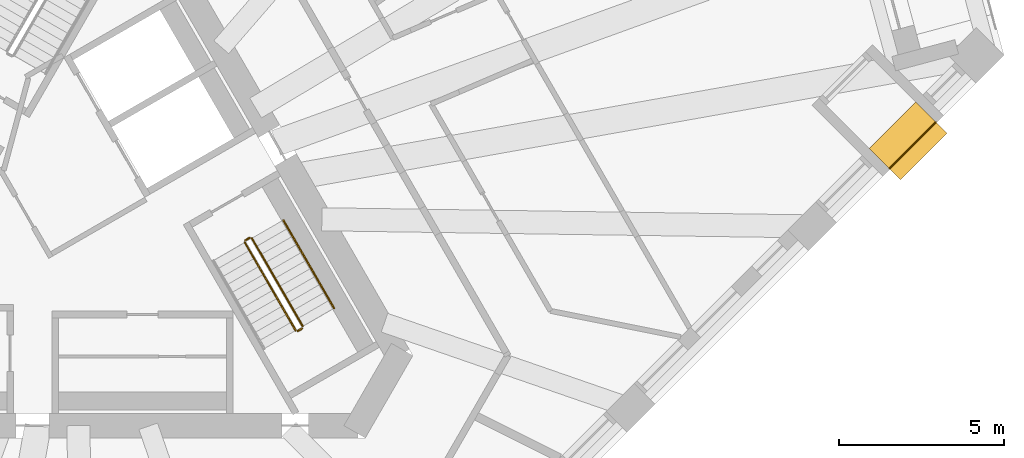
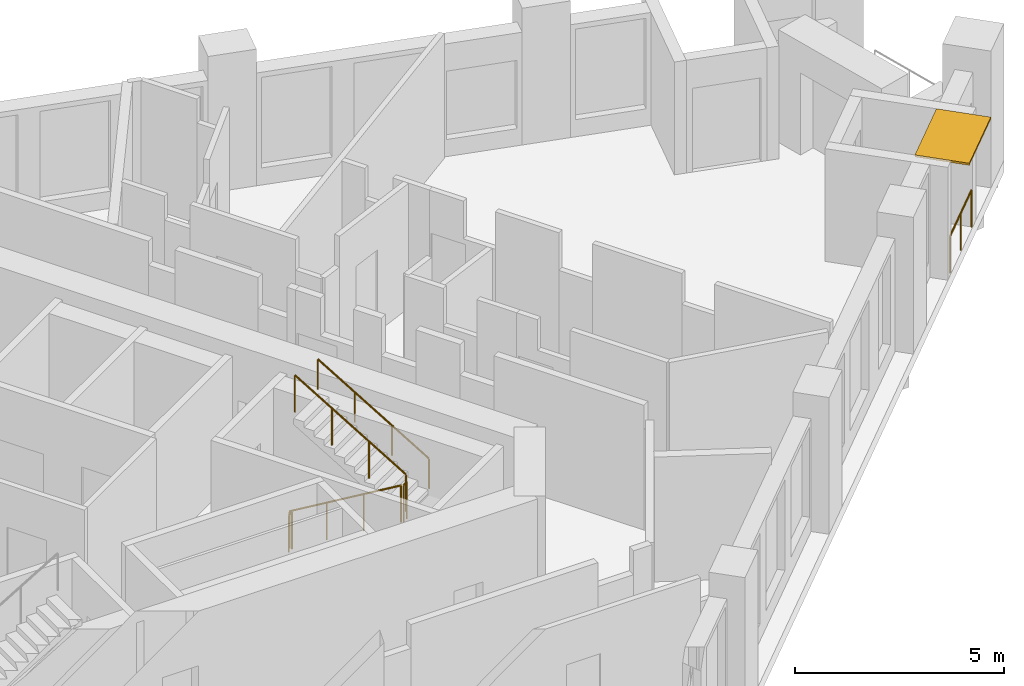
# One storey, part 11 of 13: 6 railings, 1 shading device.
"""IFC4 building model written with IfcOpenShell, lengths in metres."""

from ifc_helpers import new_model, si_unit, direction, frame, origin, origin_2d, place, context, subcontext, project, spatial, rectangle, circle, extrude, material, layer, layer_set, type_object, element, save


model = new_model("IFC4")

# Units and contexts
model_context = context("Model", 3, precision=1e-05, world=origin(), true_north=direction((0.0, 1.0)))
body_context = subcontext(model_context, "Body", "Model", "MODEL_VIEW")
ifc_project = project(units=[si_unit("LENGTHUNIT", "METRE"), si_unit("AREAUNIT", "SQUARE_METRE"), si_unit("VOLUMEUNIT", "CUBIC_METRE"), si_unit("PLANEANGLEUNIT", "RADIAN"), si_unit("MASSUNIT", "GRAM", prefix="KILO")], contexts=[model_context])

# Site, building, storey
site_placement = place(None, origin())
site = spatial("IfcSite", under=ifc_project, at=site_placement, CompositionType="ELEMENT")
building_placement = place(site_placement, origin())
building = spatial("IfcBuilding", under=site, at=building_placement, Name="Tramontana Tower", CompositionType="ELEMENT")
storey_placement = place(building_placement, frame((0.0, 0.0, 228.0)))
storey = spatial("IfcBuildingStorey", under=building, at=storey_placement, Name="L53", CompositionType="ELEMENT", Elevation=228.0)

# Railing
ifc_material_1 = material(Name="Laminated glass balustrade", Category="glass")
railing_type_1 = type_object("IfcRailingType", Name="GD1 Loggia glass balustrade 1100", PredefinedType="BALUSTRADE", material=ifc_material_1)
railing_1_placement = place(storey_placement, frame((24.718017578125, 1.426025390625, 0.0)))
element("IfcRailing", 1, at=railing_1_placement, inside=storey, type_object=railing_type_1, Name="Loggia balustrade L53 G5S1.16", PredefinedType="BALUSTRADE", context=body_context, shape_type="SweptSolid", body=[
    extrude(circle(Radius=0.02392578125, at=origin_2d()), frame((0.0, 0.0, 1.076171875), z_axis=(0.707106781187, 0.707106781187, 0.0), x_axis=(-0.707106781187, 0.707106781187, 0.0)), (0.0, 0.0, 1.0), 1.998046875),
    extrude(circle(Radius=0.02099609375, at=origin_2d()), origin(), (0.0, 0.0, 1.0), 1.052001953125),
    extrude(circle(Radius=0.02099609375, at=origin_2d()), frame((0.70654296875, 0.70654296875, 0.0)), (0.0, 0.0, 1.0), 1.052001953125),
    extrude(circle(Radius=0.02099609375, at=origin_2d()), frame((1.412841796875, 1.412841796875, 0.0)), (0.0, 0.0, 1.0), 1.052001953125),
])

# Shading device
ifc_material_2 = material(Name="Precast concrete 60 MPa", Category="concrete")
ifc_layer = layer(ifc_material_2, 0.06005859375)
ifc_layer_set = layer_set([ifc_layer], Name="SS1 Stone sunshade blade 60")
shading_device_type = type_object("IfcShadingDeviceType", Name="SS1 Stone sunshade blade 60", PredefinedType="USERDEFINED", material=ifc_layer_set)
shading_device_placement = place(storey_placement, frame((25.28662109375, 2.270263671875, 3.239990234375), z_axis=(0.0, 0.0, 1.0), x_axis=(0.707106781187, 0.707106781187, 0.0)))
element("IfcShadingDevice", 2, at=shading_device_placement, inside=storey, type_object=shading_device_type, Name="Sunshade L53 G5S1.16", ObjectType="SUNSHADE", PredefinedType="USERDEFINED", context=body_context, shape_type="SweptSolid", body=[
    extrude(rectangle(XDim=1.998046875, YDim=1.35009765625, at=origin_2d()), origin(), (0.0, 0.0, 1.0), 0.06005859375),
])

# Railings
ifc_material_3 = material(Name="Painted steel", Category="steel")
railing_type_2 = type_object("IfcRailingType", Name="STAIR GUARD 1100", PredefinedType="GUARDRAIL", material=ifc_material_3)
railing_2_placement = place(storey_placement, frame((5.1474609375, -0.815673828125, 0.166748046875)))
element("IfcRailing", 3, at=railing_2_placement, inside=storey, type_object=railing_type_2, Name="L53 ST3 stair guard 1", PredefinedType="GUARDRAIL", context=body_context, shape_type="SweptSolid", body=[
    extrude(circle(Radius=0.02392578125, at=origin_2d()), frame((0.0, 0.0, 1.076171875), z_axis=(0.429671193721, -0.744159446956, 0.511477646425), x_axis=(0.866010015463, 0.500026652407, 0.0)), (0.0, 0.0, 1.0), 3.584228515625),
    extrude(circle(Radius=0.02099609375, at=origin_2d()), origin(), (0.0, 0.0, 1.0), 1.052001953125),
    extrude(circle(Radius=0.02099609375, at=origin_2d()), frame((0.513427734375, -0.88916015625, 0.611083984375)), (0.0, 0.0, 1.0), 1.052001953125),
    extrude(circle(Radius=0.02099609375, at=origin_2d()), frame((1.026611328125, -1.778076171875, 1.22216796875)), (0.0, 0.0, 1.0), 1.052001953125),
    extrude(circle(Radius=0.02099609375, at=origin_2d()), frame((1.5400390625, -2.667236328125, 1.833251953125)), (0.0, 0.0, 1.0), 1.052001953125),
])
railing_3_placement = place(storey_placement, frame((6.90380859375, -3.35791015625, 2.166748046875)))
element("IfcRailing", 4, at=railing_3_placement, inside=storey, type_object=railing_type_2, Name="L53 ST3 stair guard 2", PredefinedType="GUARDRAIL", context=body_context, shape_type="SweptSolid", body=[
    extrude(circle(Radius=0.02392578125, at=origin_2d()), frame((0.0, 0.0, 1.076171875), z_axis=(-0.429615651263, 0.74418122563, 0.511492615401), x_axis=(-0.866044340336, -0.499967199496, 0.0)), (0.0, 0.0, 1.0), 3.584228515625),
    extrude(circle(Radius=0.02099609375, at=origin_2d()), origin(), (0.0, 0.0, 1.0), 1.052001953125),
    extrude(circle(Radius=0.02099609375, at=origin_2d()), frame((-0.51318359375, 0.88916015625, 0.611083984375)), (0.0, 0.0, 1.0), 1.052001953125),
    extrude(circle(Radius=0.02099609375, at=origin_2d()), frame((-1.026611328125, 1.778076171875, 1.22216796875)), (0.0, 0.0, 1.0), 1.052001953125),
    extrude(circle(Radius=0.02099609375, at=origin_2d()), frame((-1.539794921875, 2.667236328125, 1.833251953125)), (0.0, 0.0, 1.0), 1.052001953125),
])
for number, where, name in (
    (5, (6.755615234375, -3.501220703125, 2.0), "L53 ST3 stair guard 3"),
    (6, (5.165771484375, -0.747314453125, 0.0), "L53 ST3 stair guard 4"),
):
    element("IfcRailing", number, at=place(storey_placement, frame(where)), inside=storey, type_object=railing_type_2, Name=name, PredefinedType="GUARDRAIL", context=body_context, shape_type="SweptSolid", body=[
        extrude(circle(Radius=0.02392578125, at=origin_2d()), frame((0.0, 0.0, 1.076171875), z_axis=(0.866131372301, 0.499816412211, 0.0), x_axis=(-0.499816412211, 0.866131372301, 0.0)), (0.0, 0.0, 1.0), 0.14990234375),
        extrude(circle(Radius=0.02099609375, at=origin_2d()), origin(), (0.0, 0.0, 1.0), 1.052001953125),
        extrude(circle(Radius=0.02099609375, at=origin_2d()), frame((0.1298828125, 0.074951171875, 0.0)), (0.0, 0.0, 1.0), 1.052001953125),
    ])
ifc_material_4 = material(Name="Painted steel", Category="steel")
railing_type_3 = type_object("IfcRailingType", Name="STAIR HANDRAIL 900", PredefinedType="HANDRAIL", material=ifc_material_4)
railing_4_placement = place(storey_placement, frame((7.8564453125, -2.807861328125, 2.166748046875)))
element("IfcRailing", 7, at=railing_4_placement, inside=storey, type_object=railing_type_3, Name="L53 ST3 stair handrail 2", PredefinedType="HANDRAIL", context=body_context, shape_type="SweptSolid", body=[
    extrude(circle(Radius=0.02392578125, at=origin_2d()), frame((0.0, 0.0, 0.8759765625), z_axis=(-0.429615651263, 0.74418122563, 0.511492615401), x_axis=(-0.866044340336, -0.499967199496, 0.0)), (0.0, 0.0, 1.0), 3.584228515625),
    extrude(circle(Radius=0.02099609375, at=origin_2d()), origin(), (0.0, 0.0, 1.0), 0.851806640625),
    extrude(circle(Radius=0.02099609375, at=origin_2d()), frame((-0.51318359375, 0.88916015625, 0.611083984375)), (0.0, 0.0, 1.0), 0.851806640625),
    extrude(circle(Radius=0.02099609375, at=origin_2d()), frame((-1.026611328125, 1.778076171875, 1.22216796875)), (0.0, 0.0, 1.0), 0.851806640625),
    extrude(circle(Radius=0.02099609375, at=origin_2d()), frame((-1.539794921875, 2.667236328125, 1.833251953125)), (0.0, 0.0, 1.0), 0.851806640625),
])

save(model, "model.ifc")
